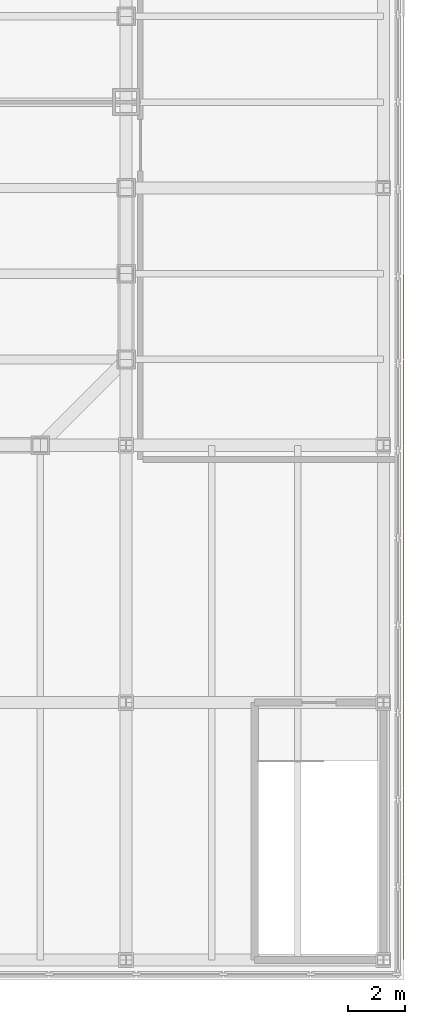
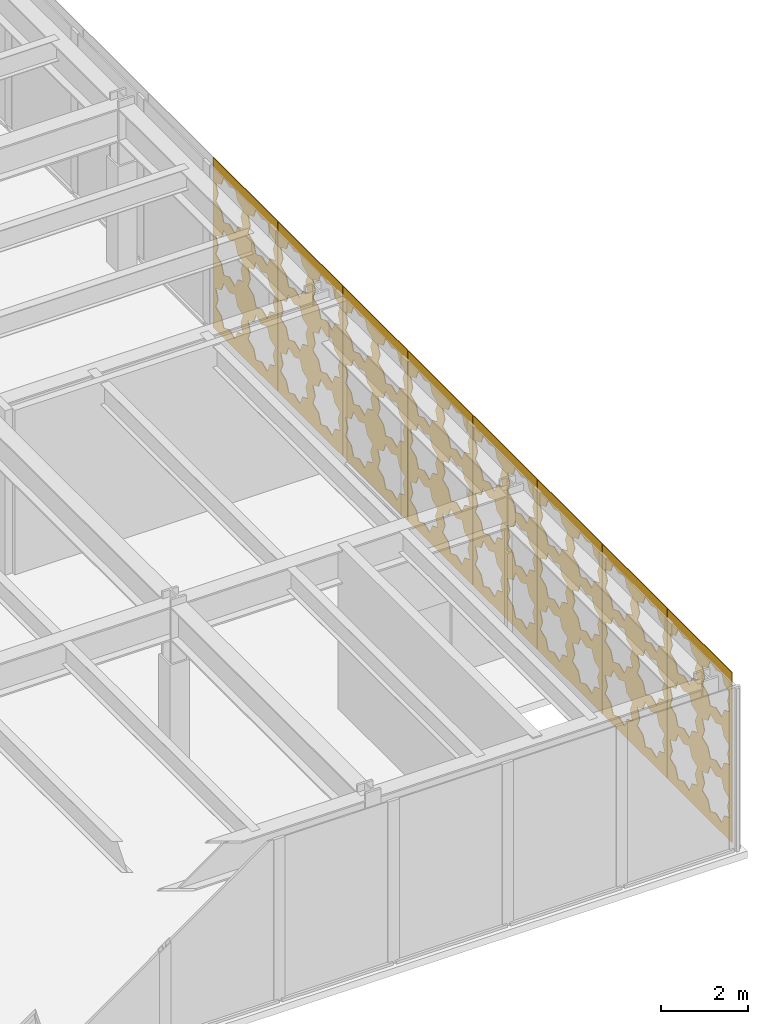
# One storey, part 22 of 24: 8 shading devices.
"""IFC4 building model written with IfcOpenShell, lengths in metres."""

from ifc_helpers import new_model, si_unit, direction, frame, origin, place, context, subcontext, project, spatial, polyline, outline, extrude, material, layer, layer_set, type_object, element, save


model = new_model("IFC4")

# Units and contexts
model_context = context("Model", 3, precision=1e-05, world=origin(), true_north=direction((0.0, 1.0)))
body_context = subcontext(model_context, "Body", "Model", "MODEL_VIEW")
ifc_project = project(units=[si_unit("LENGTHUNIT", "METRE"), si_unit("AREAUNIT", "SQUARE_METRE"), si_unit("VOLUMEUNIT", "CUBIC_METRE"), si_unit("PLANEANGLEUNIT", "RADIAN"), si_unit("MASSUNIT", "GRAM", prefix="KILO")], contexts=[model_context])

# Site, building, storey
site_placement = place(None, origin())
site = spatial("IfcSite", under=ifc_project, at=site_placement, CompositionType="ELEMENT")
building_placement = place(site_placement, origin())
building = spatial("IfcBuilding", under=site, at=building_placement, Name="Chuquiago Exchange Tower", CompositionType="ELEMENT")
storey_placement = place(building_placement, frame((0.0, 0.0, 19.5)))
storey = spatial("IfcBuildingStorey", under=building, at=storey_placement, Name="L03", CompositionType="ELEMENT", Elevation=19.5)

# Shading devices
ifc_material = material(Name="Pale metal, perforated in an eight-point star pattern", Category="aluminium")
ifc_layer = layer(ifc_material, 0.02001953125)
ifc_layer_set = layer_set([ifc_layer], Name="SC1 mashrabiya screen 20")
shading_device_type = type_object("IfcShadingDeviceType", Name="SC1 mashrabiya screen 20", PredefinedType="SHUTTER", material=ifc_layer_set)
shading_device_1_placement = place(storey_placement, frame((54.699951171875, -17.989990234375, -0.199951171875), z_axis=(0.0, 0.0, 1.0), x_axis=(0.0, 1.0, 0.0)))
element("IfcShadingDevice", 1, at=shading_device_1_placement, inside=storey, type_object=shading_device_type, Name="Mashrabiya screen L03 E 1", PredefinedType="SHUTTER", context=body_context, shape_type="SweptSolid", body=[
    extrude(outline(polyline([(0.0, 0.0), (2.97998046875, 0.0), (2.97998046875, 4.800048828125), (0.0, 4.800048828125), (0.0, 0.0)]), holes=[polyline([(1.26953125, 0.909912109375), (1.378173828125, 1.17236328125), (1.115966796875, 1.281005859375), (1.00732421875, 1.543212890625), (0.7451171875, 1.4345703125), (0.482666015625, 1.543212890625), (0.3740234375, 1.281005859375), (0.11181640625, 1.17236328125), (0.220458984375, 0.909912109375), (0.11181640625, 0.647705078125), (0.3740234375, 0.5390625), (0.482666015625, 0.27685546875), (0.7451171875, 0.38525390625), (1.00732421875, 0.27685546875), (1.115966796875, 0.5390625), (1.378173828125, 0.647705078125), (1.26953125, 0.909912109375)]), polyline([(2.759521484375, 0.909912109375), (2.8681640625, 1.17236328125), (2.60595703125, 1.281005859375), (2.497314453125, 1.543212890625), (2.235107421875, 1.4345703125), (1.97265625, 1.543212890625), (1.864013671875, 1.281005859375), (1.601806640625, 1.17236328125), (1.71044921875, 0.909912109375), (1.601806640625, 0.647705078125), (1.864013671875, 0.5390625), (1.97265625, 0.27685546875), (2.235107421875, 0.38525390625), (2.497314453125, 0.27685546875), (2.60595703125, 0.5390625), (2.8681640625, 0.647705078125), (2.759521484375, 0.909912109375)]), polyline([(1.26953125, 2.39990234375), (1.378173828125, 2.662353515625), (1.115966796875, 2.77099609375), (1.00732421875, 3.033203125), (0.7451171875, 2.924560546875), (0.482666015625, 3.033203125), (0.3740234375, 2.77099609375), (0.11181640625, 2.662353515625), (0.220458984375, 2.39990234375), (0.11181640625, 2.1376953125), (0.3740234375, 2.029052734375), (0.482666015625, 1.766845703125), (0.7451171875, 1.875244140625), (1.00732421875, 1.766845703125), (1.115966796875, 2.029052734375), (1.378173828125, 2.1376953125), (1.26953125, 2.39990234375)]), polyline([(2.759521484375, 2.39990234375), (2.8681640625, 2.662353515625), (2.60595703125, 2.77099609375), (2.497314453125, 3.033203125), (2.235107421875, 2.924560546875), (1.97265625, 3.033203125), (1.864013671875, 2.77099609375), (1.601806640625, 2.662353515625), (1.71044921875, 2.39990234375), (1.601806640625, 2.1376953125), (1.864013671875, 2.029052734375), (1.97265625, 1.766845703125), (2.235107421875, 1.875244140625), (2.497314453125, 1.766845703125), (2.60595703125, 2.029052734375), (2.8681640625, 2.1376953125), (2.759521484375, 2.39990234375)]), polyline([(1.26953125, 3.889892578125), (1.378173828125, 4.15234375), (1.115966796875, 4.260986328125), (1.00732421875, 4.523193359375), (0.7451171875, 4.41455078125), (0.482666015625, 4.523193359375), (0.3740234375, 4.260986328125), (0.11181640625, 4.15234375), (0.220458984375, 3.889892578125), (0.11181640625, 3.627685546875), (0.3740234375, 3.51904296875), (0.482666015625, 3.2568359375), (0.7451171875, 3.365234375), (1.00732421875, 3.2568359375), (1.115966796875, 3.51904296875), (1.378173828125, 3.627685546875), (1.26953125, 3.889892578125)]), polyline([(2.759521484375, 3.889892578125), (2.8681640625, 4.15234375), (2.60595703125, 4.260986328125), (2.497314453125, 4.523193359375), (2.235107421875, 4.41455078125), (1.97265625, 4.523193359375), (1.864013671875, 4.260986328125), (1.601806640625, 4.15234375), (1.71044921875, 3.889892578125), (1.601806640625, 3.627685546875), (1.864013671875, 3.51904296875), (1.97265625, 3.2568359375), (2.235107421875, 3.365234375), (2.497314453125, 3.2568359375), (2.60595703125, 3.51904296875), (2.8681640625, 3.627685546875), (2.759521484375, 3.889892578125)])]), frame((0.0, 0.0, 0.0), z_axis=(0.0, -1.0, 0.0), x_axis=(1.0, 0.0, 0.0)), (0.0, 0.0, 1.0), 0.02001953125),
])
shading_device_2_placement = place(storey_placement, frame((54.699951171875, -14.989990234375, -0.199951171875), z_axis=(0.0, 0.0, 1.0), x_axis=(0.0, 1.0, 0.0)))
element("IfcShadingDevice", 2, at=shading_device_2_placement, inside=storey, type_object=shading_device_type, Name="Mashrabiya screen L03 E 2", PredefinedType="SHUTTER", context=body_context, shape_type="SweptSolid", body=[
    extrude(outline(polyline([(0.0, 0.0), (2.97998046875, 0.0), (2.97998046875, 4.800048828125), (0.0, 4.800048828125), (0.0, 0.0)]), holes=[polyline([(1.26953125, 0.909912109375), (1.378173828125, 1.17236328125), (1.115966796875, 1.281005859375), (1.00732421875, 1.543212890625), (0.7451171875, 1.4345703125), (0.482666015625, 1.543212890625), (0.3740234375, 1.281005859375), (0.11181640625, 1.17236328125), (0.220458984375, 0.909912109375), (0.11181640625, 0.647705078125), (0.3740234375, 0.5390625), (0.482666015625, 0.27685546875), (0.7451171875, 0.38525390625), (1.00732421875, 0.27685546875), (1.115966796875, 0.5390625), (1.378173828125, 0.647705078125), (1.26953125, 0.909912109375)]), polyline([(2.759521484375, 0.909912109375), (2.8681640625, 1.17236328125), (2.60595703125, 1.281005859375), (2.497314453125, 1.543212890625), (2.235107421875, 1.4345703125), (1.97265625, 1.543212890625), (1.864013671875, 1.281005859375), (1.601806640625, 1.17236328125), (1.71044921875, 0.909912109375), (1.601806640625, 0.647705078125), (1.864013671875, 0.5390625), (1.97265625, 0.27685546875), (2.235107421875, 0.38525390625), (2.497314453125, 0.27685546875), (2.60595703125, 0.5390625), (2.8681640625, 0.647705078125), (2.759521484375, 0.909912109375)]), polyline([(1.26953125, 2.39990234375), (1.378173828125, 2.662353515625), (1.115966796875, 2.77099609375), (1.00732421875, 3.033203125), (0.7451171875, 2.924560546875), (0.482666015625, 3.033203125), (0.3740234375, 2.77099609375), (0.11181640625, 2.662353515625), (0.220458984375, 2.39990234375), (0.11181640625, 2.1376953125), (0.3740234375, 2.029052734375), (0.482666015625, 1.766845703125), (0.7451171875, 1.875244140625), (1.00732421875, 1.766845703125), (1.115966796875, 2.029052734375), (1.378173828125, 2.1376953125), (1.26953125, 2.39990234375)]), polyline([(2.759521484375, 2.39990234375), (2.8681640625, 2.662353515625), (2.60595703125, 2.77099609375), (2.497314453125, 3.033203125), (2.235107421875, 2.924560546875), (1.97265625, 3.033203125), (1.864013671875, 2.77099609375), (1.601806640625, 2.662353515625), (1.71044921875, 2.39990234375), (1.601806640625, 2.1376953125), (1.864013671875, 2.029052734375), (1.97265625, 1.766845703125), (2.235107421875, 1.875244140625), (2.497314453125, 1.766845703125), (2.60595703125, 2.029052734375), (2.8681640625, 2.1376953125), (2.759521484375, 2.39990234375)]), polyline([(1.26953125, 3.889892578125), (1.378173828125, 4.15234375), (1.115966796875, 4.260986328125), (1.00732421875, 4.523193359375), (0.7451171875, 4.41455078125), (0.482666015625, 4.523193359375), (0.3740234375, 4.260986328125), (0.11181640625, 4.15234375), (0.220458984375, 3.889892578125), (0.11181640625, 3.627685546875), (0.3740234375, 3.51904296875), (0.482666015625, 3.2568359375), (0.7451171875, 3.365234375), (1.00732421875, 3.2568359375), (1.115966796875, 3.51904296875), (1.378173828125, 3.627685546875), (1.26953125, 3.889892578125)]), polyline([(2.759521484375, 3.889892578125), (2.8681640625, 4.15234375), (2.60595703125, 4.260986328125), (2.497314453125, 4.523193359375), (2.235107421875, 4.41455078125), (1.97265625, 4.523193359375), (1.864013671875, 4.260986328125), (1.601806640625, 4.15234375), (1.71044921875, 3.889892578125), (1.601806640625, 3.627685546875), (1.864013671875, 3.51904296875), (1.97265625, 3.2568359375), (2.235107421875, 3.365234375), (2.497314453125, 3.2568359375), (2.60595703125, 3.51904296875), (2.8681640625, 3.627685546875), (2.759521484375, 3.889892578125)])]), frame((0.0, 0.0, 0.0), z_axis=(0.0, -1.0, 0.0), x_axis=(1.0, 0.0, 0.0)), (0.0, 0.0, 1.0), 0.02001953125),
])
shading_device_3_placement = place(storey_placement, frame((54.699951171875, -11.989990234375, -0.199951171875), z_axis=(0.0, 0.0, 1.0), x_axis=(0.0, 1.0, 0.0)))
element("IfcShadingDevice", 3, at=shading_device_3_placement, inside=storey, type_object=shading_device_type, Name="Mashrabiya screen L03 E 3", PredefinedType="SHUTTER", context=body_context, shape_type="SweptSolid", body=[
    extrude(outline(polyline([(0.0, 0.0), (2.97998046875, 0.0), (2.97998046875, 4.800048828125), (0.0, 4.800048828125), (0.0, 0.0)]), holes=[polyline([(1.26953125, 0.909912109375), (1.378173828125, 1.17236328125), (1.115966796875, 1.281005859375), (1.00732421875, 1.543212890625), (0.7451171875, 1.4345703125), (0.482666015625, 1.543212890625), (0.3740234375, 1.281005859375), (0.11181640625, 1.17236328125), (0.220458984375, 0.909912109375), (0.11181640625, 0.647705078125), (0.3740234375, 0.5390625), (0.482666015625, 0.27685546875), (0.7451171875, 0.38525390625), (1.00732421875, 0.27685546875), (1.115966796875, 0.5390625), (1.378173828125, 0.647705078125), (1.26953125, 0.909912109375)]), polyline([(2.759521484375, 0.909912109375), (2.8681640625, 1.17236328125), (2.60595703125, 1.281005859375), (2.497314453125, 1.543212890625), (2.235107421875, 1.4345703125), (1.97265625, 1.543212890625), (1.864013671875, 1.281005859375), (1.601806640625, 1.17236328125), (1.71044921875, 0.909912109375), (1.601806640625, 0.647705078125), (1.864013671875, 0.5390625), (1.97265625, 0.27685546875), (2.235107421875, 0.38525390625), (2.497314453125, 0.27685546875), (2.60595703125, 0.5390625), (2.8681640625, 0.647705078125), (2.759521484375, 0.909912109375)]), polyline([(1.26953125, 2.39990234375), (1.378173828125, 2.662353515625), (1.115966796875, 2.77099609375), (1.00732421875, 3.033203125), (0.7451171875, 2.924560546875), (0.482666015625, 3.033203125), (0.3740234375, 2.77099609375), (0.11181640625, 2.662353515625), (0.220458984375, 2.39990234375), (0.11181640625, 2.1376953125), (0.3740234375, 2.029052734375), (0.482666015625, 1.766845703125), (0.7451171875, 1.875244140625), (1.00732421875, 1.766845703125), (1.115966796875, 2.029052734375), (1.378173828125, 2.1376953125), (1.26953125, 2.39990234375)]), polyline([(2.759521484375, 2.39990234375), (2.8681640625, 2.662353515625), (2.60595703125, 2.77099609375), (2.497314453125, 3.033203125), (2.235107421875, 2.924560546875), (1.97265625, 3.033203125), (1.864013671875, 2.77099609375), (1.601806640625, 2.662353515625), (1.71044921875, 2.39990234375), (1.601806640625, 2.1376953125), (1.864013671875, 2.029052734375), (1.97265625, 1.766845703125), (2.235107421875, 1.875244140625), (2.497314453125, 1.766845703125), (2.60595703125, 2.029052734375), (2.8681640625, 2.1376953125), (2.759521484375, 2.39990234375)]), polyline([(1.26953125, 3.889892578125), (1.378173828125, 4.15234375), (1.115966796875, 4.260986328125), (1.00732421875, 4.523193359375), (0.7451171875, 4.41455078125), (0.482666015625, 4.523193359375), (0.3740234375, 4.260986328125), (0.11181640625, 4.15234375), (0.220458984375, 3.889892578125), (0.11181640625, 3.627685546875), (0.3740234375, 3.51904296875), (0.482666015625, 3.2568359375), (0.7451171875, 3.365234375), (1.00732421875, 3.2568359375), (1.115966796875, 3.51904296875), (1.378173828125, 3.627685546875), (1.26953125, 3.889892578125)]), polyline([(2.759521484375, 3.889892578125), (2.8681640625, 4.15234375), (2.60595703125, 4.260986328125), (2.497314453125, 4.523193359375), (2.235107421875, 4.41455078125), (1.97265625, 4.523193359375), (1.864013671875, 4.260986328125), (1.601806640625, 4.15234375), (1.71044921875, 3.889892578125), (1.601806640625, 3.627685546875), (1.864013671875, 3.51904296875), (1.97265625, 3.2568359375), (2.235107421875, 3.365234375), (2.497314453125, 3.2568359375), (2.60595703125, 3.51904296875), (2.8681640625, 3.627685546875), (2.759521484375, 3.889892578125)])]), frame((0.0, 0.0, 0.0), z_axis=(0.0, -1.0, 0.0), x_axis=(1.0, 0.0, 0.0)), (0.0, 0.0, 1.0), 0.02001953125),
])
shading_device_4_placement = place(storey_placement, frame((54.699951171875, -8.989990234375, -0.199951171875), z_axis=(0.0, 0.0, 1.0), x_axis=(0.0, 1.0, 0.0)))
element("IfcShadingDevice", 4, at=shading_device_4_placement, inside=storey, type_object=shading_device_type, Name="Mashrabiya screen L03 E 4", PredefinedType="SHUTTER", context=body_context, shape_type="SweptSolid", body=[
    extrude(outline(polyline([(0.0, 0.0), (2.97998046875, 0.0), (2.97998046875, 4.800048828125), (0.0, 4.800048828125), (0.0, 0.0)]), holes=[polyline([(1.26953125, 0.909912109375), (1.378173828125, 1.17236328125), (1.115966796875, 1.281005859375), (1.00732421875, 1.543212890625), (0.7451171875, 1.4345703125), (0.482666015625, 1.543212890625), (0.3740234375, 1.281005859375), (0.11181640625, 1.17236328125), (0.220458984375, 0.909912109375), (0.11181640625, 0.647705078125), (0.3740234375, 0.5390625), (0.482666015625, 0.27685546875), (0.7451171875, 0.38525390625), (1.00732421875, 0.27685546875), (1.115966796875, 0.5390625), (1.378173828125, 0.647705078125), (1.26953125, 0.909912109375)]), polyline([(2.759521484375, 0.909912109375), (2.8681640625, 1.17236328125), (2.60595703125, 1.281005859375), (2.497314453125, 1.543212890625), (2.235107421875, 1.4345703125), (1.97265625, 1.543212890625), (1.864013671875, 1.281005859375), (1.601806640625, 1.17236328125), (1.71044921875, 0.909912109375), (1.601806640625, 0.647705078125), (1.864013671875, 0.5390625), (1.97265625, 0.27685546875), (2.235107421875, 0.38525390625), (2.497314453125, 0.27685546875), (2.60595703125, 0.5390625), (2.8681640625, 0.647705078125), (2.759521484375, 0.909912109375)]), polyline([(1.26953125, 2.39990234375), (1.378173828125, 2.662353515625), (1.115966796875, 2.77099609375), (1.00732421875, 3.033203125), (0.7451171875, 2.924560546875), (0.482666015625, 3.033203125), (0.3740234375, 2.77099609375), (0.11181640625, 2.662353515625), (0.220458984375, 2.39990234375), (0.11181640625, 2.1376953125), (0.3740234375, 2.029052734375), (0.482666015625, 1.766845703125), (0.7451171875, 1.875244140625), (1.00732421875, 1.766845703125), (1.115966796875, 2.029052734375), (1.378173828125, 2.1376953125), (1.26953125, 2.39990234375)]), polyline([(2.759521484375, 2.39990234375), (2.8681640625, 2.662353515625), (2.60595703125, 2.77099609375), (2.497314453125, 3.033203125), (2.235107421875, 2.924560546875), (1.97265625, 3.033203125), (1.864013671875, 2.77099609375), (1.601806640625, 2.662353515625), (1.71044921875, 2.39990234375), (1.601806640625, 2.1376953125), (1.864013671875, 2.029052734375), (1.97265625, 1.766845703125), (2.235107421875, 1.875244140625), (2.497314453125, 1.766845703125), (2.60595703125, 2.029052734375), (2.8681640625, 2.1376953125), (2.759521484375, 2.39990234375)]), polyline([(1.26953125, 3.889892578125), (1.378173828125, 4.15234375), (1.115966796875, 4.260986328125), (1.00732421875, 4.523193359375), (0.7451171875, 4.41455078125), (0.482666015625, 4.523193359375), (0.3740234375, 4.260986328125), (0.11181640625, 4.15234375), (0.220458984375, 3.889892578125), (0.11181640625, 3.627685546875), (0.3740234375, 3.51904296875), (0.482666015625, 3.2568359375), (0.7451171875, 3.365234375), (1.00732421875, 3.2568359375), (1.115966796875, 3.51904296875), (1.378173828125, 3.627685546875), (1.26953125, 3.889892578125)]), polyline([(2.759521484375, 3.889892578125), (2.8681640625, 4.15234375), (2.60595703125, 4.260986328125), (2.497314453125, 4.523193359375), (2.235107421875, 4.41455078125), (1.97265625, 4.523193359375), (1.864013671875, 4.260986328125), (1.601806640625, 4.15234375), (1.71044921875, 3.889892578125), (1.601806640625, 3.627685546875), (1.864013671875, 3.51904296875), (1.97265625, 3.2568359375), (2.235107421875, 3.365234375), (2.497314453125, 3.2568359375), (2.60595703125, 3.51904296875), (2.8681640625, 3.627685546875), (2.759521484375, 3.889892578125)])]), frame((0.0, 0.0, 0.0), z_axis=(0.0, -1.0, 0.0), x_axis=(1.0, 0.0, 0.0)), (0.0, 0.0, 1.0), 0.02001953125),
])
shading_device_5_placement = place(storey_placement, frame((54.699951171875, -5.989990234375, -0.199951171875), z_axis=(0.0, 0.0, 1.0), x_axis=(0.0, 1.0, 0.0)))
element("IfcShadingDevice", 5, at=shading_device_5_placement, inside=storey, type_object=shading_device_type, Name="Mashrabiya screen L03 E 5", PredefinedType="SHUTTER", context=body_context, shape_type="SweptSolid", body=[
    extrude(outline(polyline([(0.0, 0.0), (2.97998046875, 0.0), (2.97998046875, 4.800048828125), (0.0, 4.800048828125), (0.0, 0.0)]), holes=[polyline([(1.26953125, 0.909912109375), (1.378173828125, 1.17236328125), (1.115966796875, 1.281005859375), (1.00732421875, 1.543212890625), (0.7451171875, 1.4345703125), (0.482666015625, 1.543212890625), (0.3740234375, 1.281005859375), (0.11181640625, 1.17236328125), (0.220458984375, 0.909912109375), (0.11181640625, 0.647705078125), (0.3740234375, 0.5390625), (0.482666015625, 0.27685546875), (0.7451171875, 0.38525390625), (1.00732421875, 0.27685546875), (1.115966796875, 0.5390625), (1.378173828125, 0.647705078125), (1.26953125, 0.909912109375)]), polyline([(2.759521484375, 0.909912109375), (2.8681640625, 1.17236328125), (2.60595703125, 1.281005859375), (2.497314453125, 1.543212890625), (2.235107421875, 1.4345703125), (1.97265625, 1.543212890625), (1.864013671875, 1.281005859375), (1.601806640625, 1.17236328125), (1.71044921875, 0.909912109375), (1.601806640625, 0.647705078125), (1.864013671875, 0.5390625), (1.97265625, 0.27685546875), (2.235107421875, 0.38525390625), (2.497314453125, 0.27685546875), (2.60595703125, 0.5390625), (2.8681640625, 0.647705078125), (2.759521484375, 0.909912109375)]), polyline([(1.26953125, 2.39990234375), (1.378173828125, 2.662353515625), (1.115966796875, 2.77099609375), (1.00732421875, 3.033203125), (0.7451171875, 2.924560546875), (0.482666015625, 3.033203125), (0.3740234375, 2.77099609375), (0.11181640625, 2.662353515625), (0.220458984375, 2.39990234375), (0.11181640625, 2.1376953125), (0.3740234375, 2.029052734375), (0.482666015625, 1.766845703125), (0.7451171875, 1.875244140625), (1.00732421875, 1.766845703125), (1.115966796875, 2.029052734375), (1.378173828125, 2.1376953125), (1.26953125, 2.39990234375)]), polyline([(2.759521484375, 2.39990234375), (2.8681640625, 2.662353515625), (2.60595703125, 2.77099609375), (2.497314453125, 3.033203125), (2.235107421875, 2.924560546875), (1.97265625, 3.033203125), (1.864013671875, 2.77099609375), (1.601806640625, 2.662353515625), (1.71044921875, 2.39990234375), (1.601806640625, 2.1376953125), (1.864013671875, 2.029052734375), (1.97265625, 1.766845703125), (2.235107421875, 1.875244140625), (2.497314453125, 1.766845703125), (2.60595703125, 2.029052734375), (2.8681640625, 2.1376953125), (2.759521484375, 2.39990234375)]), polyline([(1.26953125, 3.889892578125), (1.378173828125, 4.15234375), (1.115966796875, 4.260986328125), (1.00732421875, 4.523193359375), (0.7451171875, 4.41455078125), (0.482666015625, 4.523193359375), (0.3740234375, 4.260986328125), (0.11181640625, 4.15234375), (0.220458984375, 3.889892578125), (0.11181640625, 3.627685546875), (0.3740234375, 3.51904296875), (0.482666015625, 3.2568359375), (0.7451171875, 3.365234375), (1.00732421875, 3.2568359375), (1.115966796875, 3.51904296875), (1.378173828125, 3.627685546875), (1.26953125, 3.889892578125)]), polyline([(2.759521484375, 3.889892578125), (2.8681640625, 4.15234375), (2.60595703125, 4.260986328125), (2.497314453125, 4.523193359375), (2.235107421875, 4.41455078125), (1.97265625, 4.523193359375), (1.864013671875, 4.260986328125), (1.601806640625, 4.15234375), (1.71044921875, 3.889892578125), (1.601806640625, 3.627685546875), (1.864013671875, 3.51904296875), (1.97265625, 3.2568359375), (2.235107421875, 3.365234375), (2.497314453125, 3.2568359375), (2.60595703125, 3.51904296875), (2.8681640625, 3.627685546875), (2.759521484375, 3.889892578125)])]), frame((0.0, 0.0, 0.0), z_axis=(0.0, -1.0, 0.0), x_axis=(1.0, 0.0, 0.0)), (0.0, 0.0, 1.0), 0.02001953125),
])
shading_device_6_placement = place(storey_placement, frame((54.699951171875, -2.989990234375, -0.199951171875), z_axis=(0.0, 0.0, 1.0), x_axis=(0.0, 1.0, 0.0)))
element("IfcShadingDevice", 6, at=shading_device_6_placement, inside=storey, type_object=shading_device_type, Name="Mashrabiya screen L03 E 6", PredefinedType="SHUTTER", context=body_context, shape_type="SweptSolid", body=[
    extrude(outline(polyline([(0.0, 0.0), (2.97998046875, 0.0), (2.97998046875, 4.800048828125), (0.0, 4.800048828125), (0.0, 0.0)]), holes=[polyline([(1.26953125, 0.909912109375), (1.378173828125, 1.17236328125), (1.115966796875, 1.281005859375), (1.00732421875, 1.543212890625), (0.7451171875, 1.4345703125), (0.482666015625, 1.543212890625), (0.3740234375, 1.281005859375), (0.11181640625, 1.17236328125), (0.220458984375, 0.909912109375), (0.11181640625, 0.647705078125), (0.3740234375, 0.5390625), (0.482666015625, 0.27685546875), (0.7451171875, 0.38525390625), (1.00732421875, 0.27685546875), (1.115966796875, 0.5390625), (1.378173828125, 0.647705078125), (1.26953125, 0.909912109375)]), polyline([(2.759521484375, 0.909912109375), (2.8681640625, 1.17236328125), (2.60595703125, 1.281005859375), (2.497314453125, 1.543212890625), (2.235107421875, 1.4345703125), (1.97265625, 1.543212890625), (1.864013671875, 1.281005859375), (1.601806640625, 1.17236328125), (1.71044921875, 0.909912109375), (1.601806640625, 0.647705078125), (1.864013671875, 0.5390625), (1.97265625, 0.27685546875), (2.235107421875, 0.38525390625), (2.497314453125, 0.27685546875), (2.60595703125, 0.5390625), (2.8681640625, 0.647705078125), (2.759521484375, 0.909912109375)]), polyline([(1.26953125, 2.39990234375), (1.378173828125, 2.662353515625), (1.115966796875, 2.77099609375), (1.00732421875, 3.033203125), (0.7451171875, 2.924560546875), (0.482666015625, 3.033203125), (0.3740234375, 2.77099609375), (0.11181640625, 2.662353515625), (0.220458984375, 2.39990234375), (0.11181640625, 2.1376953125), (0.3740234375, 2.029052734375), (0.482666015625, 1.766845703125), (0.7451171875, 1.875244140625), (1.00732421875, 1.766845703125), (1.115966796875, 2.029052734375), (1.378173828125, 2.1376953125), (1.26953125, 2.39990234375)]), polyline([(2.759521484375, 2.39990234375), (2.8681640625, 2.662353515625), (2.60595703125, 2.77099609375), (2.497314453125, 3.033203125), (2.235107421875, 2.924560546875), (1.97265625, 3.033203125), (1.864013671875, 2.77099609375), (1.601806640625, 2.662353515625), (1.71044921875, 2.39990234375), (1.601806640625, 2.1376953125), (1.864013671875, 2.029052734375), (1.97265625, 1.766845703125), (2.235107421875, 1.875244140625), (2.497314453125, 1.766845703125), (2.60595703125, 2.029052734375), (2.8681640625, 2.1376953125), (2.759521484375, 2.39990234375)]), polyline([(1.26953125, 3.889892578125), (1.378173828125, 4.15234375), (1.115966796875, 4.260986328125), (1.00732421875, 4.523193359375), (0.7451171875, 4.41455078125), (0.482666015625, 4.523193359375), (0.3740234375, 4.260986328125), (0.11181640625, 4.15234375), (0.220458984375, 3.889892578125), (0.11181640625, 3.627685546875), (0.3740234375, 3.51904296875), (0.482666015625, 3.2568359375), (0.7451171875, 3.365234375), (1.00732421875, 3.2568359375), (1.115966796875, 3.51904296875), (1.378173828125, 3.627685546875), (1.26953125, 3.889892578125)]), polyline([(2.759521484375, 3.889892578125), (2.8681640625, 4.15234375), (2.60595703125, 4.260986328125), (2.497314453125, 4.523193359375), (2.235107421875, 4.41455078125), (1.97265625, 4.523193359375), (1.864013671875, 4.260986328125), (1.601806640625, 4.15234375), (1.71044921875, 3.889892578125), (1.601806640625, 3.627685546875), (1.864013671875, 3.51904296875), (1.97265625, 3.2568359375), (2.235107421875, 3.365234375), (2.497314453125, 3.2568359375), (2.60595703125, 3.51904296875), (2.8681640625, 3.627685546875), (2.759521484375, 3.889892578125)])]), frame((0.0, 0.0, 0.0), z_axis=(0.0, -1.0, 0.0), x_axis=(1.0, 0.0, 0.0)), (0.0, 0.0, 1.0), 0.02001953125),
])
shading_device_7_placement = place(storey_placement, frame((54.699951171875, 0.010009765625, -0.199951171875), z_axis=(0.0, 0.0, 1.0), x_axis=(0.0, 1.0, 0.0)))
element("IfcShadingDevice", 7, at=shading_device_7_placement, inside=storey, type_object=shading_device_type, Name="Mashrabiya screen L03 E 7", PredefinedType="SHUTTER", context=body_context, shape_type="SweptSolid", body=[
    extrude(outline(polyline([(0.0, 0.0), (2.97998046875, 0.0), (2.97998046875, 4.800048828125), (0.0, 4.800048828125), (0.0, 0.0)]), holes=[polyline([(1.26953125, 0.909912109375), (1.378173828125, 1.17236328125), (1.115966796875, 1.281005859375), (1.00732421875, 1.543212890625), (0.7451171875, 1.4345703125), (0.482666015625, 1.543212890625), (0.3740234375, 1.281005859375), (0.11181640625, 1.17236328125), (0.220458984375, 0.909912109375), (0.11181640625, 0.647705078125), (0.3740234375, 0.5390625), (0.482666015625, 0.27685546875), (0.7451171875, 0.38525390625), (1.00732421875, 0.27685546875), (1.115966796875, 0.5390625), (1.378173828125, 0.647705078125), (1.26953125, 0.909912109375)]), polyline([(2.759521484375, 0.909912109375), (2.8681640625, 1.17236328125), (2.60595703125, 1.281005859375), (2.497314453125, 1.543212890625), (2.235107421875, 1.4345703125), (1.97265625, 1.543212890625), (1.864013671875, 1.281005859375), (1.601806640625, 1.17236328125), (1.71044921875, 0.909912109375), (1.601806640625, 0.647705078125), (1.864013671875, 0.5390625), (1.97265625, 0.27685546875), (2.235107421875, 0.38525390625), (2.497314453125, 0.27685546875), (2.60595703125, 0.5390625), (2.8681640625, 0.647705078125), (2.759521484375, 0.909912109375)]), polyline([(1.26953125, 2.39990234375), (1.378173828125, 2.662353515625), (1.115966796875, 2.77099609375), (1.00732421875, 3.033203125), (0.7451171875, 2.924560546875), (0.482666015625, 3.033203125), (0.3740234375, 2.77099609375), (0.11181640625, 2.662353515625), (0.220458984375, 2.39990234375), (0.11181640625, 2.1376953125), (0.3740234375, 2.029052734375), (0.482666015625, 1.766845703125), (0.7451171875, 1.875244140625), (1.00732421875, 1.766845703125), (1.115966796875, 2.029052734375), (1.378173828125, 2.1376953125), (1.26953125, 2.39990234375)]), polyline([(2.759521484375, 2.39990234375), (2.8681640625, 2.662353515625), (2.60595703125, 2.77099609375), (2.497314453125, 3.033203125), (2.235107421875, 2.924560546875), (1.97265625, 3.033203125), (1.864013671875, 2.77099609375), (1.601806640625, 2.662353515625), (1.71044921875, 2.39990234375), (1.601806640625, 2.1376953125), (1.864013671875, 2.029052734375), (1.97265625, 1.766845703125), (2.235107421875, 1.875244140625), (2.497314453125, 1.766845703125), (2.60595703125, 2.029052734375), (2.8681640625, 2.1376953125), (2.759521484375, 2.39990234375)]), polyline([(1.26953125, 3.889892578125), (1.378173828125, 4.15234375), (1.115966796875, 4.260986328125), (1.00732421875, 4.523193359375), (0.7451171875, 4.41455078125), (0.482666015625, 4.523193359375), (0.3740234375, 4.260986328125), (0.11181640625, 4.15234375), (0.220458984375, 3.889892578125), (0.11181640625, 3.627685546875), (0.3740234375, 3.51904296875), (0.482666015625, 3.2568359375), (0.7451171875, 3.365234375), (1.00732421875, 3.2568359375), (1.115966796875, 3.51904296875), (1.378173828125, 3.627685546875), (1.26953125, 3.889892578125)]), polyline([(2.759521484375, 3.889892578125), (2.8681640625, 4.15234375), (2.60595703125, 4.260986328125), (2.497314453125, 4.523193359375), (2.235107421875, 4.41455078125), (1.97265625, 4.523193359375), (1.864013671875, 4.260986328125), (1.601806640625, 4.15234375), (1.71044921875, 3.889892578125), (1.601806640625, 3.627685546875), (1.864013671875, 3.51904296875), (1.97265625, 3.2568359375), (2.235107421875, 3.365234375), (2.497314453125, 3.2568359375), (2.60595703125, 3.51904296875), (2.8681640625, 3.627685546875), (2.759521484375, 3.889892578125)])]), frame((0.0, 0.0, 0.0), z_axis=(0.0, -1.0, 0.0), x_axis=(1.0, 0.0, 0.0)), (0.0, 0.0, 1.0), 0.02001953125),
])
shading_device_8_placement = place(storey_placement, frame((54.699951171875, 3.010009765625, -0.199951171875), z_axis=(0.0, 0.0, 1.0), x_axis=(0.0, 1.0, 0.0)))
element("IfcShadingDevice", 8, at=shading_device_8_placement, inside=storey, type_object=shading_device_type, Name="Mashrabiya screen L03 E 8", PredefinedType="SHUTTER", context=body_context, shape_type="SweptSolid", body=[
    extrude(outline(polyline([(0.0, 0.0), (2.97998046875, 0.0), (2.97998046875, 4.800048828125), (0.0, 4.800048828125), (0.0, 0.0)]), holes=[polyline([(1.26953125, 0.909912109375), (1.378173828125, 1.17236328125), (1.115966796875, 1.281005859375), (1.00732421875, 1.543212890625), (0.7451171875, 1.4345703125), (0.482666015625, 1.543212890625), (0.3740234375, 1.281005859375), (0.11181640625, 1.17236328125), (0.220458984375, 0.909912109375), (0.11181640625, 0.647705078125), (0.3740234375, 0.5390625), (0.482666015625, 0.27685546875), (0.7451171875, 0.38525390625), (1.00732421875, 0.27685546875), (1.115966796875, 0.5390625), (1.378173828125, 0.647705078125), (1.26953125, 0.909912109375)]), polyline([(2.759521484375, 0.909912109375), (2.8681640625, 1.17236328125), (2.60595703125, 1.281005859375), (2.497314453125, 1.543212890625), (2.235107421875, 1.4345703125), (1.97265625, 1.543212890625), (1.864013671875, 1.281005859375), (1.601806640625, 1.17236328125), (1.71044921875, 0.909912109375), (1.601806640625, 0.647705078125), (1.864013671875, 0.5390625), (1.97265625, 0.27685546875), (2.235107421875, 0.38525390625), (2.497314453125, 0.27685546875), (2.60595703125, 0.5390625), (2.8681640625, 0.647705078125), (2.759521484375, 0.909912109375)]), polyline([(1.26953125, 2.39990234375), (1.378173828125, 2.662353515625), (1.115966796875, 2.77099609375), (1.00732421875, 3.033203125), (0.7451171875, 2.924560546875), (0.482666015625, 3.033203125), (0.3740234375, 2.77099609375), (0.11181640625, 2.662353515625), (0.220458984375, 2.39990234375), (0.11181640625, 2.1376953125), (0.3740234375, 2.029052734375), (0.482666015625, 1.766845703125), (0.7451171875, 1.875244140625), (1.00732421875, 1.766845703125), (1.115966796875, 2.029052734375), (1.378173828125, 2.1376953125), (1.26953125, 2.39990234375)]), polyline([(2.759521484375, 2.39990234375), (2.8681640625, 2.662353515625), (2.60595703125, 2.77099609375), (2.497314453125, 3.033203125), (2.235107421875, 2.924560546875), (1.97265625, 3.033203125), (1.864013671875, 2.77099609375), (1.601806640625, 2.662353515625), (1.71044921875, 2.39990234375), (1.601806640625, 2.1376953125), (1.864013671875, 2.029052734375), (1.97265625, 1.766845703125), (2.235107421875, 1.875244140625), (2.497314453125, 1.766845703125), (2.60595703125, 2.029052734375), (2.8681640625, 2.1376953125), (2.759521484375, 2.39990234375)]), polyline([(1.26953125, 3.889892578125), (1.378173828125, 4.15234375), (1.115966796875, 4.260986328125), (1.00732421875, 4.523193359375), (0.7451171875, 4.41455078125), (0.482666015625, 4.523193359375), (0.3740234375, 4.260986328125), (0.11181640625, 4.15234375), (0.220458984375, 3.889892578125), (0.11181640625, 3.627685546875), (0.3740234375, 3.51904296875), (0.482666015625, 3.2568359375), (0.7451171875, 3.365234375), (1.00732421875, 3.2568359375), (1.115966796875, 3.51904296875), (1.378173828125, 3.627685546875), (1.26953125, 3.889892578125)]), polyline([(2.759521484375, 3.889892578125), (2.8681640625, 4.15234375), (2.60595703125, 4.260986328125), (2.497314453125, 4.523193359375), (2.235107421875, 4.41455078125), (1.97265625, 4.523193359375), (1.864013671875, 4.260986328125), (1.601806640625, 4.15234375), (1.71044921875, 3.889892578125), (1.601806640625, 3.627685546875), (1.864013671875, 3.51904296875), (1.97265625, 3.2568359375), (2.235107421875, 3.365234375), (2.497314453125, 3.2568359375), (2.60595703125, 3.51904296875), (2.8681640625, 3.627685546875), (2.759521484375, 3.889892578125)])]), frame((0.0, 0.0, 0.0), z_axis=(0.0, -1.0, 0.0), x_axis=(1.0, 0.0, 0.0)), (0.0, 0.0, 1.0), 0.02001953125),
])

save(model, "model.ifc")
